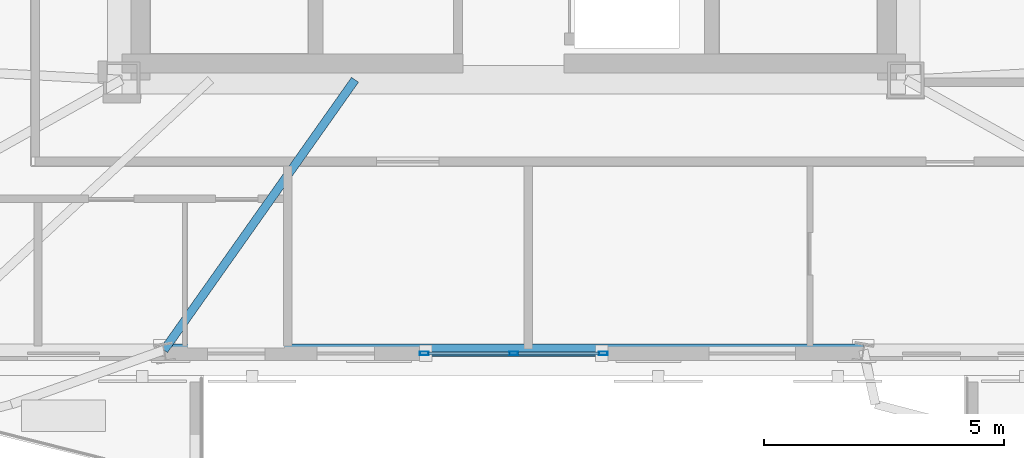
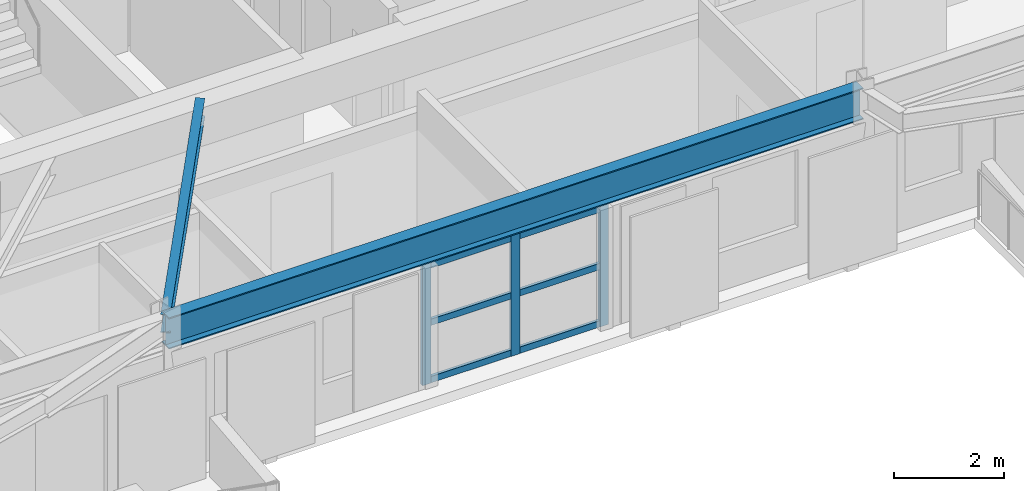
# One storey, part 2 of 13: 9 members, 2 beams, 1 element without a shape of its own.
"""IFC4 building model written with IfcOpenShell, lengths in metres."""

from ifc_helpers import new_model, si_unit, direction, frame, origin, origin_2d, place, context, subcontext, project, spatial, hollow_rectangle, i_section, extrude, material, layer, layer_set, material_profile, profile_set, type_object, element, aggregate, save


model = new_model("IFC4")

# Units and contexts
model_context = context("Model", 3, precision=1e-05, world=origin(), true_north=direction((0.0, 1.0)))
body_context = subcontext(model_context, "Body", "Model", "MODEL_VIEW")
ifc_project = project(units=[si_unit("LENGTHUNIT", "METRE"), si_unit("AREAUNIT", "SQUARE_METRE"), si_unit("VOLUMEUNIT", "CUBIC_METRE"), si_unit("PLANEANGLEUNIT", "RADIAN"), si_unit("MASSUNIT", "GRAM", prefix="KILO")], contexts=[model_context])

# Site, building, storey
site_placement = place(None, origin())
site = spatial("IfcSite", under=ifc_project, at=site_placement, CompositionType="ELEMENT")
building_placement = place(site_placement, origin())
building = spatial("IfcBuilding", under=site, at=building_placement, Name="Oramaril Tower", CompositionType="ELEMENT")
storey_placement = place(building_placement, frame((0.0, 0.0, 197.39990234375)))
storey = spatial("IfcBuildingStorey", under=building, at=storey_placement, Name="L52", CompositionType="ELEMENT", Elevation=197.39990234375)

# Beams
ifc_material_1 = material(Name="Steel ASTM A572 Gr 50", Category="steel")
ifc_material_profile_1 = material_profile(ifc_material_1, i_section(OverallWidth=0.177978515625, OverallDepth=0.404052734375, WebThickness=0.007568359375, FlangeThickness=0.010986328125, at=origin_2d()), Name="W16X36")
ifc_profile_set_1 = profile_set([ifc_material_profile_1], Name="Steel ASTM A572 Gr 50")
beam_type_1 = type_object("IfcBeamType", Name="BT-SB1", PredefinedType="BEAM", material=ifc_profile_set_1)
beam_1_placement = place(storey_placement, frame((34.199951171875, 11.0, 3.177978515625), z_axis=(-0.577055091546, -0.816705223028, 0.0), x_axis=(0.816705223028, -0.577055091546, 0.0)))
element("IfcBeam", 1, at=beam_1_placement, inside=storey, type_object=beam_type_1, Name="L52 Secondary Floor Beam SB-02", PredefinedType="BEAM", context=body_context, shape_type="SweptSolid", body=[
    extrude(i_section(OverallWidth=0.177978515625, OverallDepth=0.404052734375, WebThickness=0.007568359375, FlangeThickness=0.010986328125, at=origin_2d()), origin(), (0.0, 0.0, 1.0), 6.880615234375),
])
ifc_material_2 = material(Name="Steel ASTM A572 Gr 50", Category="steel")
ifc_material_profile_2 = material_profile(ifc_material_2, i_section(OverallWidth=0.257080078125, OverallDepth=0.693115234375, WebThickness=0.014404296875, FlangeThickness=0.023681640625, at=origin_2d()), Name="W27X114")
ifc_profile_set_2 = profile_set([ifc_material_profile_2], Name="Steel ASTM A572 Gr 50")
beam_type_2 = type_object("IfcBeamType", Name="BT-SP4", PredefinedType="SPANDREL", material=ifc_profile_set_2)
beam_2_placement = place(storey_placement, frame((30.2294921875, 5.380615234375, 3.03369140625), z_axis=(1.0, 0.0, 0.0), x_axis=(0.0, 1.0, 0.0)))
element("IfcBeam", 2, at=beam_2_placement, inside=storey, type_object=beam_type_2, Name="L52 Perimeter Spandrel 04", PredefinedType="SPANDREL", context=body_context, shape_type="SweptSolid", body=[
    extrude(i_section(OverallWidth=0.257080078125, OverallDepth=0.693115234375, WebThickness=0.014404296875, FlangeThickness=0.023681640625, at=origin_2d()), origin(), (0.0, 0.0, 1.0), 14.541015625),
])

# Curtain wall, members
ifc_material_3 = material(Name="Anodised Aluminium 6063-T6", Category="aluminium")
ifc_layer = layer(ifc_material_3, 0.179931640625)
ifc_layer_set = layer_set([ifc_layer], Name="CWT-SYS4")
curtain_wall_type = type_object("IfcCurtainWallType", Name="CWT-SYS4", PredefinedType="NOTDEFINED", material=ifc_layer_set)
curtain_wall_placement = place(storey_placement, origin())
curtain_wall = element("IfcCurtainWall", 3, at=curtain_wall_placement, inside=storey, type_object=curtain_wall_type, Name="L52 Unitised Curtain Wall CW-4", PredefinedType="NOTDEFINED")
ifc_material_4 = material(Name="Anodised Aluminium 6063-T6", Category="aluminium")
ifc_material_profile_3 = material_profile(ifc_material_4, hollow_rectangle(XDim=0.070068359375, YDim=0.179931640625, WallThickness=0.00390625, at=origin_2d()), Name="CWM180X70")
ifc_profile_set_3 = profile_set([ifc_material_profile_3], Name="Anodised Aluminium 6063-T6")
member_type_1 = type_object("IfcMemberType", Name="MT-CWM2", PredefinedType="MULLION", material=ifc_profile_set_3)
member_1_placement = place(storey_placement, frame((35.639892578125, 5.3115234375, 0.0), z_axis=(0.0, 0.0, 1.0), x_axis=(0.0, 1.0, 0.0)))
member_1 = element("IfcMember", 4, at=member_1_placement, type_object=member_type_1, Name="CW-4 mullion 1", PredefinedType="MULLION", context=body_context, shape_type="SweptSolid", body=[
    extrude(hollow_rectangle(XDim=0.070068359375, YDim=0.179931640625, WallThickness=0.00390625, at=origin_2d()), origin(), (0.0, 0.0, 1.0), 2.677001953125),
])
member_2_placement = place(storey_placement, frame((37.5, 5.3115234375, 0.0), z_axis=(0.0, 0.0, 1.0), x_axis=(0.0, 1.0, 0.0)))
member_2 = element("IfcMember", 5, at=member_2_placement, type_object=member_type_1, Name="CW-4 mullion 2", PredefinedType="MULLION", context=body_context, shape_type="SweptSolid", body=[
    extrude(hollow_rectangle(XDim=0.070068359375, YDim=0.179931640625, WallThickness=0.00390625, at=origin_2d()), origin(), (0.0, 0.0, 1.0), 2.677001953125),
])
member_3_placement = place(storey_placement, frame((39.360107421875, 5.3115234375, 0.0), z_axis=(0.0, 0.0, 1.0), x_axis=(0.0, 1.0, 0.0)))
member_3 = element("IfcMember", 6, at=member_3_placement, type_object=member_type_1, Name="CW-4 mullion 3", PredefinedType="MULLION", context=body_context, shape_type="SweptSolid", body=[
    extrude(hollow_rectangle(XDim=0.070068359375, YDim=0.179931640625, WallThickness=0.00390625, at=origin_2d()), origin(), (0.0, 0.0, 1.0), 2.677001953125),
])
ifc_material_5 = material(Name="Anodised Aluminium 6063-T6", Category="aluminium")
ifc_material_profile_4 = material_profile(ifc_material_5, hollow_rectangle(XDim=0.06494140625, YDim=0.139892578125, WallThickness=0.00390625, at=origin_2d()), Name="CWT140X65")
ifc_profile_set_4 = profile_set([ifc_material_profile_4], Name="Anodised Aluminium 6063-T6")
member_type_2 = type_object("IfcMemberType", Name="MT-CWT2", PredefinedType="USERDEFINED", material=ifc_profile_set_4)
member_4_placement = place(storey_placement, frame((35.72998046875, 5.3115234375, 0.070068359375), z_axis=(1.0, 0.0, 0.0), x_axis=(0.0, 1.0, 0.0)))
member_4 = element("IfcMember", 7, at=member_4_placement, type_object=member_type_2, Name="CW-4 transom 1.1", ObjectType="TRANSOM", PredefinedType="USERDEFINED", context=body_context, shape_type="SweptSolid", body=[
    extrude(hollow_rectangle(XDim=0.06494140625, YDim=0.139892578125, WallThickness=0.00390625, at=origin_2d()), origin(), (0.0, 0.0, 1.0), 1.679931640625),
])
member_5_placement = place(storey_placement, frame((35.72998046875, 5.3115234375, 1.338623046875), z_axis=(1.0, 0.0, 0.0), x_axis=(0.0, 1.0, 0.0)))
member_5 = element("IfcMember", 8, at=member_5_placement, type_object=member_type_2, Name="CW-4 transom 1.2", ObjectType="TRANSOM", PredefinedType="USERDEFINED", context=body_context, shape_type="SweptSolid", body=[
    extrude(hollow_rectangle(XDim=0.06494140625, YDim=0.139892578125, WallThickness=0.00390625, at=origin_2d()), origin(), (0.0, 0.0, 1.0), 1.679931640625),
])
member_6_placement = place(storey_placement, frame((35.72998046875, 5.3115234375, 2.607177734375), z_axis=(1.0, 0.0, 0.0), x_axis=(0.0, 1.0, 0.0)))
member_6 = element("IfcMember", 9, at=member_6_placement, type_object=member_type_2, Name="CW-4 transom 1.3", ObjectType="TRANSOM", PredefinedType="USERDEFINED", context=body_context, shape_type="SweptSolid", body=[
    extrude(hollow_rectangle(XDim=0.06494140625, YDim=0.139892578125, WallThickness=0.00390625, at=origin_2d()), origin(), (0.0, 0.0, 1.0), 1.679931640625),
])
member_7_placement = place(storey_placement, frame((37.590087890625, 5.3115234375, 0.070068359375), z_axis=(1.0, 0.0, 0.0), x_axis=(0.0, 1.0, 0.0)))
member_7 = element("IfcMember", 10, at=member_7_placement, type_object=member_type_2, Name="CW-4 transom 2.1", ObjectType="TRANSOM", PredefinedType="USERDEFINED", context=body_context, shape_type="SweptSolid", body=[
    extrude(hollow_rectangle(XDim=0.06494140625, YDim=0.139892578125, WallThickness=0.00390625, at=origin_2d()), origin(), (0.0, 0.0, 1.0), 1.679931640625),
])
member_8_placement = place(storey_placement, frame((37.590087890625, 5.3115234375, 1.338623046875), z_axis=(1.0, 0.0, 0.0), x_axis=(0.0, 1.0, 0.0)))
member_8 = element("IfcMember", 11, at=member_8_placement, type_object=member_type_2, Name="CW-4 transom 2.2", ObjectType="TRANSOM", PredefinedType="USERDEFINED", context=body_context, shape_type="SweptSolid", body=[
    extrude(hollow_rectangle(XDim=0.06494140625, YDim=0.139892578125, WallThickness=0.00390625, at=origin_2d()), origin(), (0.0, 0.0, 1.0), 1.679931640625),
])
member_9_placement = place(storey_placement, frame((37.590087890625, 5.3115234375, 2.607177734375), z_axis=(1.0, 0.0, 0.0), x_axis=(0.0, 1.0, 0.0)))
member_9 = element("IfcMember", 12, at=member_9_placement, type_object=member_type_2, Name="CW-4 transom 2.3", ObjectType="TRANSOM", PredefinedType="USERDEFINED", context=body_context, shape_type="SweptSolid", body=[
    extrude(hollow_rectangle(XDim=0.06494140625, YDim=0.139892578125, WallThickness=0.00390625, at=origin_2d()), origin(), (0.0, 0.0, 1.0), 1.679931640625),
])
aggregate(curtain_wall, [member_1, member_2, member_3, member_4, member_5, member_6, member_7, member_8, member_9])

save(model, "model.ifc")
